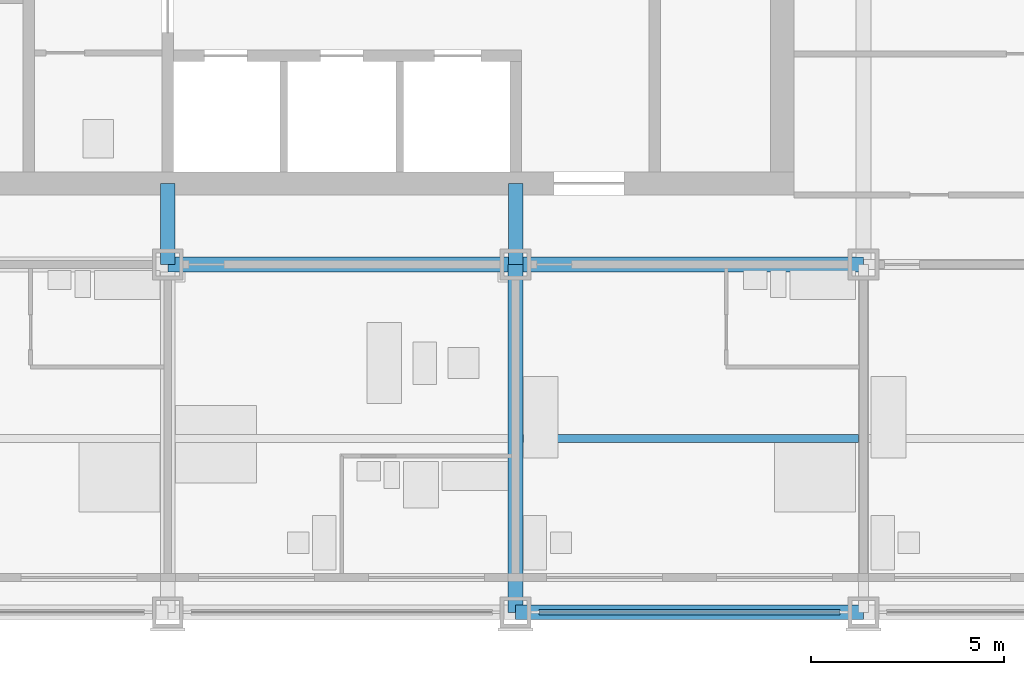
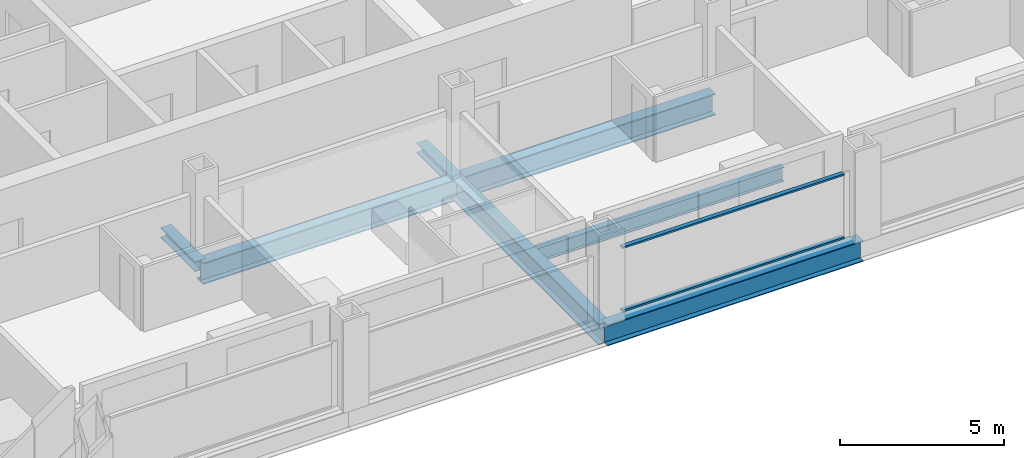
# One storey, part 3 of 18: 5 beams, 4 members, 1 element without a shape of its own.
"""IFC4 building model written with IfcOpenShell, lengths in metres."""

from ifc_helpers import new_model, si_unit, direction, frame, origin, origin_2d, place, context, subcontext, project, spatial, rectangle, i_section, extrude, material, material_profile, profile_set, type_object, element, aggregate, save


model = new_model("IFC4")

# Units and contexts
model_context = context("Model", 3, precision=1e-05, world=origin(), true_north=direction((0.0, 1.0)))
body_context = subcontext(model_context, "Body", "Model", "MODEL_VIEW")
ifc_project = project(units=[si_unit("LENGTHUNIT", "METRE"), si_unit("AREAUNIT", "SQUARE_METRE"), si_unit("VOLUMEUNIT", "CUBIC_METRE"), si_unit("PLANEANGLEUNIT", "RADIAN"), si_unit("MASSUNIT", "GRAM", prefix="KILO")], contexts=[model_context])

# Site, building, storey
site_placement = place(None, origin())
site = spatial("IfcSite", under=ifc_project, at=site_placement, CompositionType="ELEMENT")
building_placement = place(site_placement, origin())
building = spatial("IfcBuilding", under=site, at=building_placement, Name="Loomwork Tower", CompositionType="ELEMENT")
storey_placement = place(building_placement, frame((0.0, 0.0, 41.60009765625)))
storey = spatial("IfcBuildingStorey", under=building, at=storey_placement, Name="L09", CompositionType="ELEMENT", Elevation=41.60009765625)

# Beams
ifc_material_1 = material(Name="Steel ASTM A992", Category="steel")
ifc_material_profile_1 = material_profile(ifc_material_1, i_section(OverallWidth=0.383544921875, OverallDepth=0.794921875, WebThickness=0.02099609375, FlangeThickness=0.0380859375, at=origin_2d()), Name="W30x235")
ifc_profile_set_1 = profile_set([ifc_material_profile_1], Name="Steel ASTM A992")
beam_type_1 = type_object("IfcBeamType", Name="CORE FLANK GIRDER W30x235", PredefinedType="BEAM", material=ifc_profile_set_1)
for number, where, z_axis, x_axis, name in (
    (1, (18.0, 9.0, -0.59765625), (1.0, 0.0, 0.0), (0.0, 1.0, 0.0), "Core Flank Girder E/4-E/5 L09"),
    (2, (27.0, 9.0, -0.59765625), (1.0, 0.0, 0.0), (0.0, 1.0, 0.0), "Core Flank Girder E/5-E/6 L09"),
    (3, (27.0, 0.0, -0.59765625), (0.0, 1.0, 0.0), (-1.0, 0.0, 0.0), "Core Flank Girder D/5-E/5 L09"),
):
    element("IfcBeam", number, at=place(storey_placement, frame(where, z_axis=z_axis, x_axis=x_axis)), inside=storey, type_object=beam_type_1, Name=name, PredefinedType="BEAM", context=body_context, shape_type="SweptSolid", body=[
        extrude(i_section(OverallWidth=0.383544921875, OverallDepth=0.794921875, WebThickness=0.02099609375, FlangeThickness=0.0380859375, at=origin_2d()), origin(), (0.0, 0.0, 1.0), 9.0),
    ])

# Members
ifc_material_2 = material(Name="Steel ASTM A992", Category="steel")
ifc_material_profile_2 = material_profile(ifc_material_2, i_section(OverallWidth=0.373291015625, OverallDepth=0.373291015625, WebThickness=0.016357421875, FlangeThickness=0.026123046875, at=origin_2d()), Name="W14x132")
ifc_profile_set_2 = profile_set([ifc_material_profile_2], Name="Steel ASTM A992")
member_type_1 = type_object("IfcMemberType", Name="CORE LINK STRUT W14x132", PredefinedType="STRUT", material=ifc_profile_set_2)
for number, where, z_axis, x_axis, name in (
    (4, (27.0, 9.0, -0.38671875), (0.0, 1.0, 0.0), (-1.0, 0.0, 0.0), "Core link strut E/5-27.000,11.100 L09"),
    (5, (18.0, 9.0, -0.38671875), (0.0, 1.0, 0.0), (-1.0, 0.0, 0.0), "Core link strut E/4-18.000,11.100 L09"),
):
    element("IfcMember", number, at=place(storey_placement, frame(where, z_axis=z_axis, x_axis=x_axis)), inside=storey, type_object=member_type_1, Name=name, PredefinedType="STRUT", context=body_context, shape_type="SweptSolid", body=[
        extrude(i_section(OverallWidth=0.373291015625, OverallDepth=0.373291015625, WebThickness=0.016357421875, FlangeThickness=0.026123046875, at=origin_2d()), origin(), (0.0, 0.0, 1.0), 2.10009765625),
    ])

# Beam
ifc_material_3 = material(Name="Steel ASTM A992", Category="steel")
ifc_material_profile_3 = material_profile(ifc_material_3, i_section(OverallWidth=0.2109375, OverallDepth=0.53857421875, WebThickness=0.011474609375, FlangeThickness=0.018798828125, at=origin_2d()), Name="W21x73")
ifc_profile_set_3 = profile_set([ifc_material_profile_3], Name="Steel ASTM A992")
beam_type_2 = type_object("IfcBeamType", Name="FLOOR JOIST W21x73", PredefinedType="JOIST", material=ifc_profile_set_3)
beam_1_placement = place(storey_placement, frame((27.19091796875, 4.5, -0.46923828125), z_axis=(1.0, 0.0, 0.0), x_axis=(0.0, 1.0, 0.0)))
element("IfcBeam", 6, at=beam_1_placement, inside=storey, type_object=beam_type_2, Name="Floor Joist 27.000,4.500-36.000,4.500 L09", PredefinedType="JOIST", context=body_context, shape_type="SweptSolid", body=[
    extrude(i_section(OverallWidth=0.2109375, OverallDepth=0.53857421875, WebThickness=0.011474609375, FlangeThickness=0.018798828125, at=origin_2d()), origin(), (0.0, 0.0, 1.0), 8.676025390625),
])

# Curtain wall, members
ifc_material_4 = material(Name="Aluminium curtain wall frame", Category="aluminium")
curtain_wall_type = type_object("IfcCurtainWallType", Name="Outer skin glazing hotel", PredefinedType="NOTDEFINED", material=ifc_material_4)
curtain_wall_placement = place(storey_placement, origin())
curtain_wall = element("IfcCurtainWall", 7, at=curtain_wall_placement, inside=storey, type_object=curtain_wall_type, Name="Outer skin glazing hotel cw/S-27", PredefinedType="NOTDEFINED")
ifc_material_5 = material(Name="Aluminium curtain wall frame", Category="aluminium")
ifc_material_profile_4 = material_profile(ifc_material_5, rectangle(XDim=0.14990234375, YDim=0.06494140625, at=origin_2d()), Name="AL 65x150")
ifc_profile_set_4 = profile_set([ifc_material_profile_4], Name="Aluminium curtain wall frame")
member_type_2 = type_object("IfcMemberType", Name="Outer skin glazing hotel transom", PredefinedType="USERDEFINED", material=ifc_profile_set_4)
member_1_placement = place(storey_placement, frame((27.60009765625, 0.0, 0.032470703125), z_axis=(1.0, 0.0, 0.0), x_axis=(0.0, 1.0, 0.0)))
member_1 = element("IfcMember", 8, at=member_1_placement, type_object=member_type_2, Name="CW1 transom 1.1", ObjectType="TRANSOM", PredefinedType="USERDEFINED", context=body_context, shape_type="SweptSolid", body=[
    extrude(rectangle(XDim=0.14990234375, YDim=0.06494140625, at=origin_2d()), origin(), (0.0, 0.0, 1.0), 7.7998046875),
])
member_2_placement = place(storey_placement, frame((27.60009765625, 0.0, 2.3876953125), z_axis=(1.0, 0.0, 0.0), x_axis=(0.0, 1.0, 0.0)))
member_2 = element("IfcMember", 9, at=member_2_placement, type_object=member_type_2, Name="CW1 transom 1.2", ObjectType="TRANSOM", PredefinedType="USERDEFINED", context=body_context, shape_type="SweptSolid", body=[
    extrude(rectangle(XDim=0.14990234375, YDim=0.06494140625, at=origin_2d()), origin(), (0.0, 0.0, 1.0), 7.7998046875),
])
aggregate(curtain_wall, [member_1, member_2])

# Beam
ifc_material_6 = material(Name="Steel ASTM A992", Category="steel")
ifc_material_profile_5 = material_profile(ifc_material_6, i_section(OverallWidth=0.381103515625, OverallDepth=0.77978515625, WebThickness=0.01806640625, FlangeThickness=0.0302734375, at=origin_2d()), Name="W30x191")
ifc_profile_set_5 = profile_set([ifc_material_profile_5], Name="Steel ASTM A992")
beam_type_3 = type_object("IfcBeamType", Name="SPANDREL GIRDER W30x191", PredefinedType="SPANDREL", material=ifc_profile_set_5)
beam_2_placement = place(storey_placement, frame((27.0, 0.0, -0.590087890625), z_axis=(1.0, 0.0, 0.0), x_axis=(0.0, 1.0, 0.0)))
element("IfcBeam", 10, at=beam_2_placement, inside=storey, type_object=beam_type_3, Name="Spandrel Girder D/5-D/6 L09", PredefinedType="SPANDREL", context=body_context, shape_type="SweptSolid", body=[
    extrude(i_section(OverallWidth=0.381103515625, OverallDepth=0.77978515625, WebThickness=0.01806640625, FlangeThickness=0.0302734375, at=origin_2d()), origin(), (0.0, 0.0, 1.0), 9.0),
])

save(model, "model.ifc")
